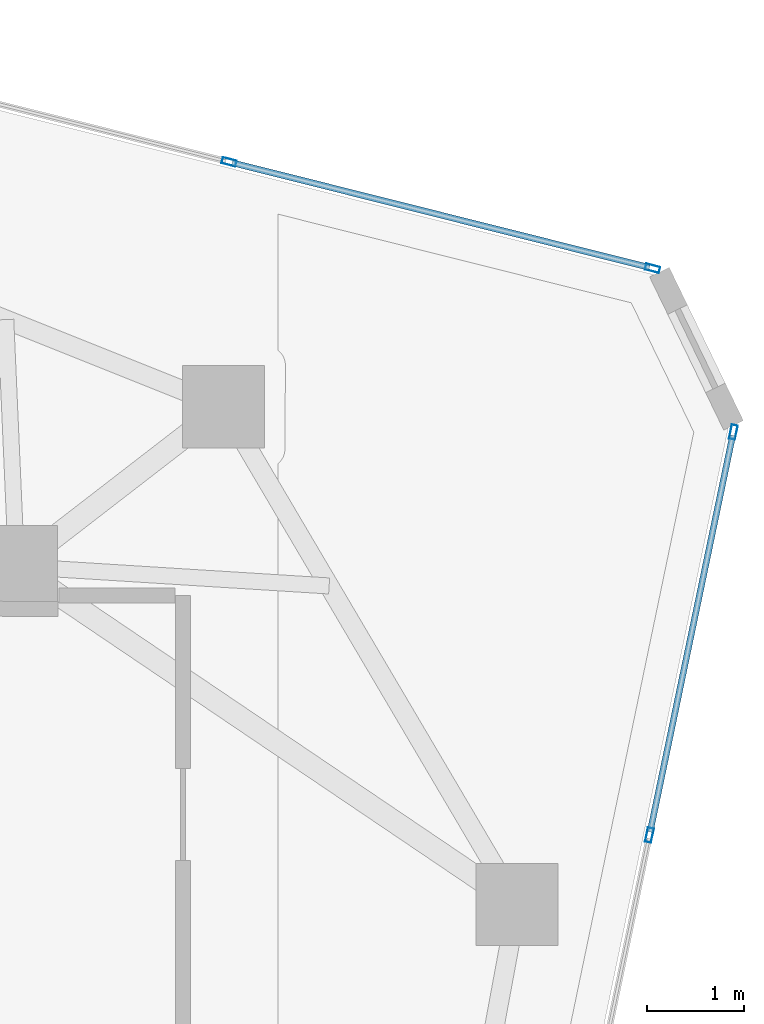
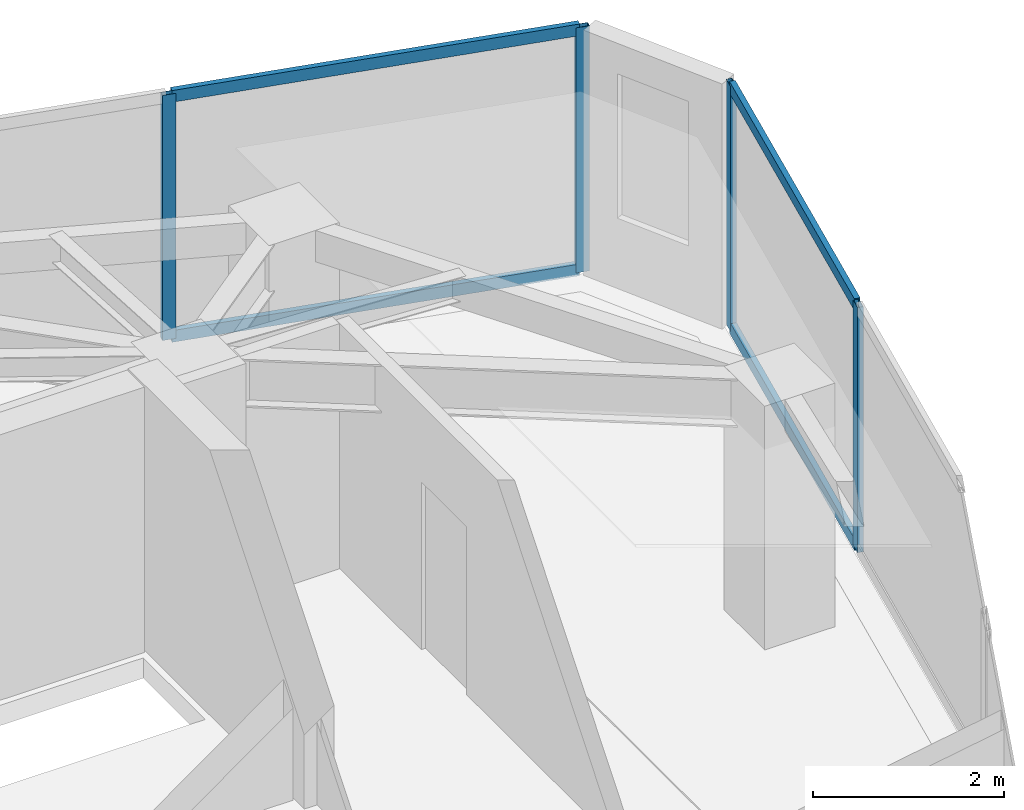
# One storey, part 14 of 20: 8 members, 2 elements without a shape of their own.
"""IFC4 building model written with IfcOpenShell, lengths in metres."""

from ifc_helpers import new_model, si_unit, direction, frame, origin, origin_2d, place, context, subcontext, project, spatial, hollow_rectangle, extrude, source, transform, mapped, material, layer, layer_set, material_profile, profile_set, type_object, type_shapes, element, aggregate, save


model = new_model("IFC4")

# Units and contexts
model_context = context("Model", 3, precision=1e-05, world=origin(), true_north=direction((0.0, 1.0)))
body_context = subcontext(model_context, "Body", "Model", "MODEL_VIEW")
ifc_project = project(units=[si_unit("LENGTHUNIT", "METRE"), si_unit("AREAUNIT", "SQUARE_METRE"), si_unit("VOLUMEUNIT", "CUBIC_METRE"), si_unit("PLANEANGLEUNIT", "RADIAN"), si_unit("MASSUNIT", "GRAM", prefix="KILO")], contexts=[model_context])

# Site, building, storey
site_placement = place(None, origin())
site = spatial("IfcSite", under=ifc_project, at=site_placement, CompositionType="ELEMENT")
building_placement = place(site_placement, origin())
building = spatial("IfcBuilding", under=site, at=building_placement, Name="Talar Marvaseh", CompositionType="ELEMENT")
storey_placement = place(building_placement, frame((0.0, 0.0, 244.199951171875)))
storey = spatial("IfcBuildingStorey", under=building, at=storey_placement, Name="L64", CompositionType="ELEMENT", Elevation=244.199951171875)

# Curtain wall, members
ifc_material = material(Name="Architectural Aluminium", Category="aluminium")
ifc_layer = layer(ifc_material, 0.179931640625)
ifc_layer_set = layer_set([ifc_layer], Name="Architectural Aluminium")
curtain_wall_type = type_object("IfcCurtainWallType", Name="Unitised High-Wind Sky Curtain Wall Z4", PredefinedType="NOTDEFINED", material=ifc_layer_set)
curtain_wall_1_placement = place(storey_placement, origin())
curtain_wall_1 = element("IfcCurtainWall", 1, at=curtain_wall_1_placement, inside=storey, type_object=curtain_wall_type, Name="L64 Unitised High-Wind Sky Curtain Wall Z4", PredefinedType="NOTDEFINED")
ifc_material_profile_1 = material_profile(ifc_material, hollow_rectangle(XDim=0.06494140625, YDim=0.14990234375, WallThickness=0.00390625, at=origin_2d()), Name="RHS150x65x4")
ifc_profile_set_1 = profile_set([ifc_material_profile_1], Name="Architectural Aluminium")
member_type_1 = type_object("IfcMemberType", Name="Unitised Curtain Wall Slim Transom RHS150x65x4", PredefinedType="USERDEFINED", material=ifc_profile_set_1)
shared_shape_1 = source(origin(), body_context, "Body", "SweptSolid", [
    extrude(hollow_rectangle(XDim=0.06494140625, YDim=0.14990234375, WallThickness=0.00390625, at=origin_2d()), origin(), (0.0, 0.0, 1.0), 4.447509765625),
])
member_1_placement = place(storey_placement, frame((35.527099609375, 41.072265625, 0.032470703125), z_axis=(0.969883620762, -0.243568803788, 0.0), x_axis=(0.243568803788, 0.969883620762, 0.0)))
member_1 = element("IfcMember", 2, at=member_1_placement, type_object=member_type_1, Name="CW-Z4 transom 3.1", ObjectType="TRANSOM", PredefinedType="USERDEFINED", context=body_context, shape_type="MappedRepresentation", body=[
    mapped(shared_shape_1, transform((0.0, 0.0, 0.0), x_axis=(1.0, 0.0, 0.0), y_axis=(0.0, 1.0, 0.0), z_axis=(0.0, 0.0, 1.0), scale=1.0)),
])
member_2_placement = place(storey_placement, frame((35.527099609375, 41.072265625, 3.107666015625), z_axis=(0.969883620762, -0.243568803788, 0.0), x_axis=(0.243568803788, 0.969883620762, 0.0)))
member_2 = element("IfcMember", 3, at=member_2_placement, type_object=member_type_1, Name="CW-Z4 transom 3.2", ObjectType="TRANSOM", PredefinedType="USERDEFINED", context=body_context, shape_type="MappedRepresentation", body=[
    mapped(shared_shape_1, transform((0.0, 0.0, 0.0), x_axis=(1.0, 0.0, 0.0), y_axis=(0.0, 1.0, 0.0), z_axis=(0.0, 0.0, 1.0), scale=1.0)),
])

curtain_wall_2_placement = place(storey_placement, origin())
curtain_wall_2 = element("IfcCurtainWall", 4, at=curtain_wall_2_placement, inside=storey, type_object=curtain_wall_type, Name="L64 Unitised High-Wind Sky Curtain Wall Z4", PredefinedType="NOTDEFINED")
shared_shape_2 = source(origin(), body_context, "Body", "SweptSolid", [
    extrude(hollow_rectangle(XDim=0.06494140625, YDim=0.14990234375, WallThickness=0.00390625, at=origin_2d()), origin(), (0.0, 0.0, 1.0), 4.188720703125),
])
type_shapes(member_type_1, [shared_shape_1, shared_shape_2])
member_3_placement = place(storey_placement, frame((40.700439453125, 38.2568359375, 0.032470703125), z_axis=(-0.203821584244, -0.979008049914, 0.0), x_axis=(0.979008049914, -0.203821584244, 0.0)))
member_3 = element("IfcMember", 5, at=member_3_placement, type_object=member_type_1, Name="CW-Z4 transom 1.1", ObjectType="TRANSOM", PredefinedType="USERDEFINED", context=body_context, shape_type="MappedRepresentation", body=[
    mapped(shared_shape_2, transform((0.0, 0.0, 0.0), x_axis=(1.0, 0.0, 0.0), y_axis=(0.0, 1.0, 0.0), z_axis=(0.0, 0.0, 1.0), scale=1.0)),
])
member_4_placement = place(storey_placement, frame((40.700439453125, 38.2568359375, 3.107666015625), z_axis=(-0.203821584244, -0.979008049914, 0.0), x_axis=(0.979008049914, -0.203821584244, 0.0)))
member_4 = element("IfcMember", 6, at=member_4_placement, type_object=member_type_1, Name="CW-Z4 transom 1.2", ObjectType="TRANSOM", PredefinedType="USERDEFINED", context=body_context, shape_type="MappedRepresentation", body=[
    mapped(shared_shape_2, transform((0.0, 0.0, 0.0), x_axis=(1.0, 0.0, 0.0), y_axis=(0.0, 1.0, 0.0), z_axis=(0.0, 0.0, 1.0), scale=1.0)),
])

# Member
ifc_material_profile_2 = material_profile(ifc_material, hollow_rectangle(XDim=0.06494140625, YDim=0.14990234375, WallThickness=0.00390625, at=origin_2d()), Name="RHS150x65x4")
ifc_profile_set_2 = profile_set([ifc_material_profile_2], Name="Architectural Aluminium")
member_type_2 = type_object("IfcMemberType", Name="Unitised Curtain Wall Slim Mullion RHS150x65x4", PredefinedType="MULLION", material=ifc_profile_set_2)
shared_shape_3 = source(origin(), body_context, "Body", "SweptSolid", [
    extrude(hollow_rectangle(XDim=0.06494140625, YDim=0.14990234375, WallThickness=0.00390625, at=origin_2d()), origin(), (0.0, 0.0, 1.0), 3.14013671875),
])
type_shapes(member_type_2, [shared_shape_3])
member_5_placement = place(storey_placement, frame((35.49560546875, 41.080078125, 0.0), z_axis=(0.0, 0.0, 1.0), x_axis=(0.243548482351, 0.969888723898, 0.0)))
member_5 = element("IfcMember", 7, at=member_5_placement, type_object=member_type_2, Name="CW-Z4 mullion 3", PredefinedType="MULLION", context=body_context, shape_type="MappedRepresentation", body=[
    mapped(shared_shape_3, transform((0.0, 0.0, 0.0), x_axis=(1.0, 0.0, 0.0), y_axis=(0.0, 1.0, 0.0), z_axis=(0.0, 0.0, 1.0), scale=1.0)),
])

member_6_placement = place(storey_placement, frame((39.8720703125, 39.981201171875, 0.0), z_axis=(0.0, 0.0, 1.0), x_axis=(0.243548482351, 0.969888723898, 0.0)))
member_6 = element("IfcMember", 8, at=member_6_placement, type_object=member_type_2, Name="CW-Z4 mullion 4", PredefinedType="MULLION", context=body_context, shape_type="MappedRepresentation", body=[
    mapped(shared_shape_3, transform((0.0, 0.0, 0.0), x_axis=(1.0, 0.0, 0.0), y_axis=(0.0, 1.0, 0.0), z_axis=(0.0, 0.0, 1.0), scale=1.0)),
])

aggregate(curtain_wall_1, [member_5, member_6, member_1, member_2])

member_7_placement = place(storey_placement, frame((40.70703125, 38.28857421875, 0.0), z_axis=(0.0, 0.0, 1.0), x_axis=(0.979014373076, -0.203791210093, 0.0)))
member_7 = element("IfcMember", 9, at=member_7_placement, type_object=member_type_2, Name="CW-Z4 mullion 1", PredefinedType="MULLION", context=body_context, shape_type="MappedRepresentation", body=[
    mapped(shared_shape_3, transform((0.0, 0.0, 0.0), x_axis=(1.0, 0.0, 0.0), y_axis=(0.0, 1.0, 0.0), z_axis=(0.0, 0.0, 1.0), scale=1.0)),
])

member_8_placement = place(storey_placement, frame((39.840087890625, 34.1240234375, 0.0), z_axis=(0.0, 0.0, 1.0), x_axis=(0.979014373076, -0.203791210093, 0.0)))
member_8 = element("IfcMember", 10, at=member_8_placement, type_object=member_type_2, Name="CW-Z4 mullion 2", PredefinedType="MULLION", context=body_context, shape_type="MappedRepresentation", body=[
    mapped(shared_shape_3, transform((0.0, 0.0, 0.0), x_axis=(1.0, 0.0, 0.0), y_axis=(0.0, 1.0, 0.0), z_axis=(0.0, 0.0, 1.0), scale=1.0)),
])

aggregate(curtain_wall_2, [member_7, member_8, member_3, member_4])

save(model, "model.ifc")
